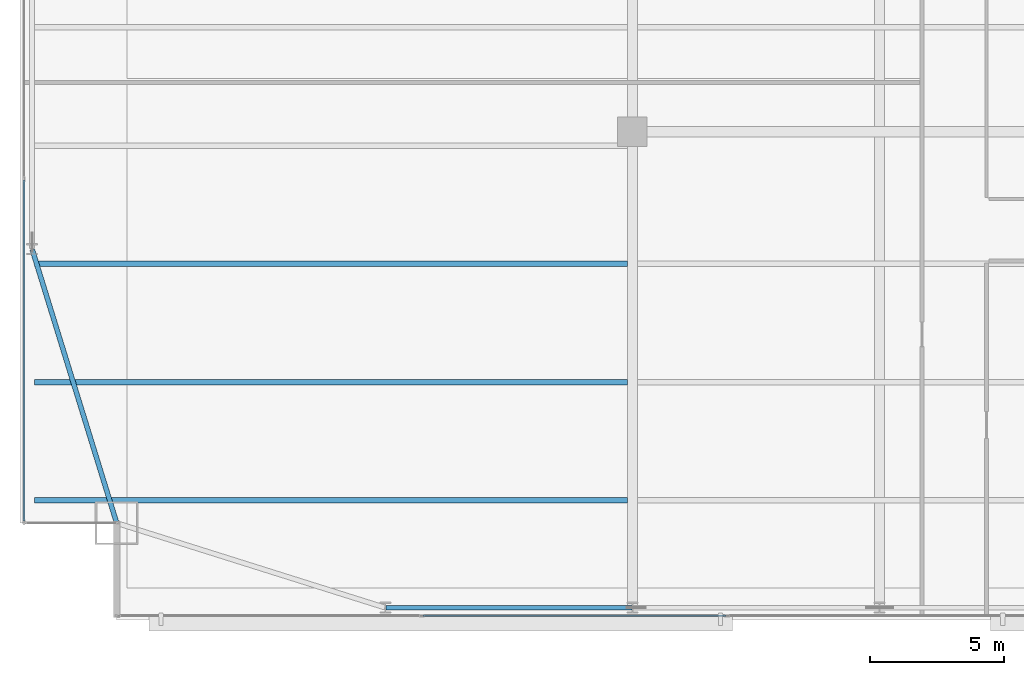
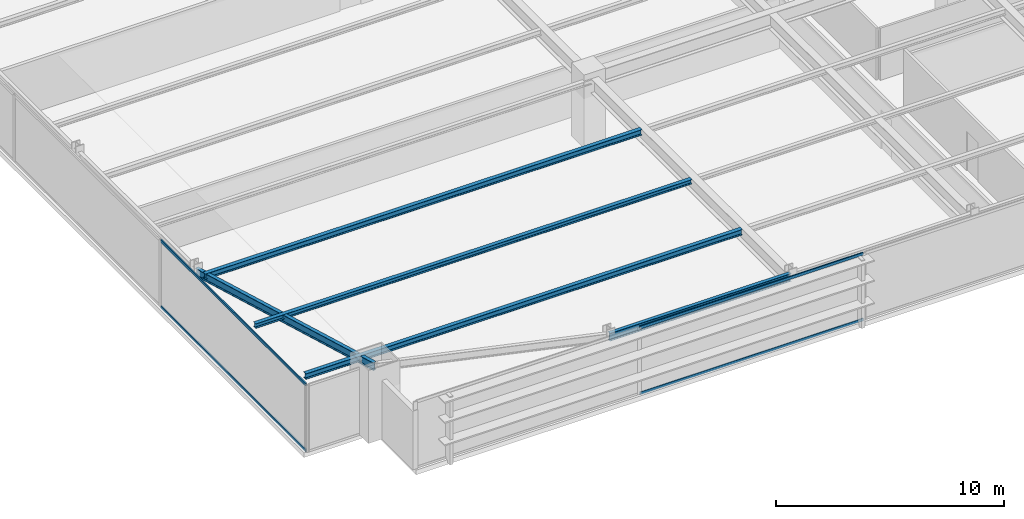
# One storey, part 5 of 32: 5 beams, 4 members, 2 elements without a shape of their own.
"""IFC4 building model written with IfcOpenShell, lengths in metres."""

from ifc_helpers import new_model, si_unit, direction, frame, origin, origin_2d, place, context, subcontext, project, spatial, hollow_rectangle, i_section, extrude, source, transform, mapped, material, layer, layer_set, material_profile, profile_set, type_object, type_shapes, element, aggregate, save


model = new_model("IFC4")

# Units and contexts
model_context = context("Model", 3, precision=1e-05, world=origin(), true_north=direction((0.0, 1.0)))
body_context = subcontext(model_context, "Body", "Model", "MODEL_VIEW")
ifc_project = project(units=[si_unit("LENGTHUNIT", "METRE"), si_unit("AREAUNIT", "SQUARE_METRE"), si_unit("VOLUMEUNIT", "CUBIC_METRE"), si_unit("PLANEANGLEUNIT", "RADIAN"), si_unit("MASSUNIT", "GRAM", prefix="KILO")], contexts=[model_context])

# Site, building, storey
site_placement = place(None, origin())
site = spatial("IfcSite", under=ifc_project, at=site_placement, CompositionType="ELEMENT")
building_placement = place(site_placement, origin())
building = spatial("IfcBuilding", under=site, at=building_placement, Name="Varnel Quay Broadcast Tower", CompositionType="ELEMENT")
storey_placement = place(building_placement, frame((0.0, 0.0, 78.300048828125)))
storey = spatial("IfcBuildingStorey", under=building, at=storey_placement, Name="L18", CompositionType="ELEMENT", Elevation=78.300048828125)

# Beams
ifc_material_1 = material(Name="Structural Steel CSA G40.21 350W", Category="steel")
ifc_material_profile_1 = material_profile(ifc_material_1, i_section(OverallWidth=0.180908203125, OverallDepth=0.4169921875, WebThickness=0.010986328125, FlangeThickness=0.018310546875, FilletRadius=0.011962890625, at=origin_2d()), Name="W410X85")
ifc_profile_set_1 = profile_set([ifc_material_profile_1], Name="Structural Steel CSA G40.21 350W")
beam_type_1 = type_object("IfcBeamType", Name="Beam_W410X85", PredefinedType="SPANDREL", material=ifc_profile_set_1)
shared_shape_1 = source(origin(), body_context, "Body", "SweptSolid", [
    extrude(i_section(OverallWidth=0.180908203125, OverallDepth=0.4169921875, WebThickness=0.010986328125, FlangeThickness=0.018310546875, FilletRadius=0.011962890625, at=origin_2d()), origin(), (0.0, 0.0, 1.0), 9.159912109375),
])
beam_1_placement = place(storey_placement, frame((15.6201171875, 1.64990234375, 3.371337890625), z_axis=(1.0, 0.0, 0.0), x_axis=(0.0, 1.0, 0.0)))
element("IfcBeam", 1, at=beam_1_placement, inside=storey, type_object=beam_type_1, Name="L18 South Spandrel TC-S1-TC-S2", PredefinedType="SPANDREL", context=body_context, shape_type="MappedRepresentation", body=[
    mapped(shared_shape_1, transform((0.0, 0.0, 0.0), x_axis=(1.0, 0.0, 0.0), y_axis=(0.0, 1.0, 0.0), z_axis=(0.0, 0.0, 1.0), scale=1.0)),
])
shared_shape_2 = source(origin(), body_context, "Body", "SweptSolid", [
    extrude(i_section(OverallWidth=0.180908203125, OverallDepth=0.4169921875, WebThickness=0.010986328125, FlangeThickness=0.018310546875, FilletRadius=0.011962890625, at=origin_2d()), origin(), (0.0, 0.0, 1.0), 10.635498046875),
])
type_shapes(beam_type_1, [shared_shape_1, shared_shape_2])
beam_2_placement = place(storey_placement, frame((5.593994140625, 4.819091796875, 3.371337890625), z_axis=(-0.295069676324, 0.955475738108, 0.0), x_axis=(-0.955475738108, -0.295069676324, 0.0)))
element("IfcBeam", 2, at=beam_2_placement, inside=storey, type_object=beam_type_1, Name="L18 West Spandrel MC-SW-TC-W1", PredefinedType="SPANDREL", context=body_context, shape_type="MappedRepresentation", body=[
    mapped(shared_shape_2, transform((0.0, 0.0, 0.0), x_axis=(1.0, 0.0, 0.0), y_axis=(0.0, 1.0, 0.0), z_axis=(0.0, 0.0, 1.0), scale=1.0)),
])
ifc_material_profile_2 = material_profile(ifc_material_1, i_section(OverallWidth=0.202880859375, OverallDepth=0.302978515625, WebThickness=0.007568359375, FlangeThickness=0.01318359375, FilletRadius=0.011962890625, at=origin_2d()), Name="W310X60")
ifc_profile_set_2 = profile_set([ifc_material_profile_2], Name="Structural Steel CSA G40.21 350W")
beam_type_2 = type_object("IfcBeamType", Name="Beam_W310X60", PredefinedType="JOIST", material=ifc_profile_set_2)
shared_shape_3 = source(origin(), body_context, "Body", "SweptSolid", [
    extrude(i_section(OverallWidth=0.202880859375, OverallDepth=0.302978515625, WebThickness=0.007568359375, FlangeThickness=0.01318359375, FilletRadius=0.011962890625, at=origin_2d()), origin(), (0.0, 0.0, 1.0), 22.0791015625),
])
type_shapes(beam_type_2, [shared_shape_3])
for number, where, z_axis, x_axis, name in (
    (3, (2.535400390625, 5.64990234375, 3.428466796875), (1.0, 0.0, 0.0), (0.0, 1.0, 0.0), "L18 West Floor Joist 1"),
    (4, (2.535400390625, 14.449951171875, 3.428466796875), (1.0, 0.0, 0.0), (0.0, 1.0, 0.0), "L18 West Floor Joist 3"),
):
    element("IfcBeam", number, at=place(storey_placement, frame(where, z_axis=z_axis, x_axis=x_axis)), inside=storey, type_object=beam_type_2, Name=name, PredefinedType="JOIST", context=body_context, shape_type="MappedRepresentation", body=[
        mapped(shared_shape_3, transform((0.0, 0.0, 0.0), x_axis=(1.0, 0.0, 0.0), y_axis=(0.0, 1.0, 0.0), z_axis=(0.0, 0.0, 1.0), scale=1.0)),
    ])
ifc_material_profile_3 = material_profile(ifc_material_1, i_section(OverallWidth=0.201904296875, OverallDepth=0.2470703125, WebThickness=0.00732421875, FlangeThickness=0.010986328125, FilletRadius=0.010986328125, at=origin_2d()), Name="W250X49")
ifc_profile_set_3 = profile_set([ifc_material_profile_3], Name="Structural Steel CSA G40.21 350W")
beam_type_3 = type_object("IfcBeamType", Name="Beam_W250X49", PredefinedType="JOIST", material=ifc_profile_set_3)
shared_shape_4 = source(origin(), body_context, "Body", "SweptSolid", [
    extrude(i_section(OverallWidth=0.201904296875, OverallDepth=0.2470703125, WebThickness=0.00732421875, FlangeThickness=0.010986328125, FilletRadius=0.010986328125, at=origin_2d()), origin(), (0.0, 0.0, 1.0), 22.0791015625),
])
type_shapes(beam_type_3, [shared_shape_4])
beam_3_placement = place(storey_placement, frame((2.535400390625, 10.050048828125, 3.45654296875), z_axis=(1.0, 0.0, 0.0), x_axis=(0.0, 1.0, 0.0)))
element("IfcBeam", 5, at=beam_3_placement, inside=storey, type_object=beam_type_3, Name="L18 West Floor Joist 2", PredefinedType="JOIST", context=body_context, shape_type="MappedRepresentation", body=[
    mapped(shared_shape_4, transform((0.0, 0.0, 0.0), x_axis=(1.0, 0.0, 0.0), y_axis=(0.0, 1.0, 0.0), z_axis=(0.0, 0.0, 1.0), scale=1.0)),
])

# Curtain wall, members
ifc_material_2 = material(Name="Anodised Bronze Aluminium 6063-T6", Category="aluminium")
ifc_layer = layer(ifc_material_2, 0.18994140625, Name="Anodised Bronze Aluminium 6063-T6")
ifc_layer_set = layer_set([ifc_layer], Name="Anodised Bronze Aluminium 6063-T6")
curtain_wall_type = type_object("IfcCurtainWallType", Name="CW_LowerTower", PredefinedType="NOTDEFINED", material=ifc_layer_set)
curtain_wall_1_placement = place(storey_placement, origin())
curtain_wall_1 = element("IfcCurtainWall", 6, at=curtain_wall_1_placement, inside=storey, type_object=curtain_wall_type, Name="L18 West Unitised Curtain Wall", PredefinedType="NOTDEFINED")
ifc_material_profile_4 = material_profile(ifc_material_2, hollow_rectangle(XDim=0.06005859375, YDim=0.14501953125, WallThickness=0.00341796875, at=origin_2d()), Name="ALU60X145X3.5")
ifc_profile_set_4 = profile_set([ifc_material_profile_4], Name="Anodised Bronze Aluminium 6063-T6")
member_type = type_object("IfcMemberType", Name="Tran_CWS-02", PredefinedType="USERDEFINED", material=ifc_profile_set_4)
shared_shape_5 = source(origin(), body_context, "Body", "SweptSolid", [
    extrude(hollow_rectangle(XDim=0.06005859375, YDim=0.14501953125, WallThickness=0.00341796875, at=origin_2d()), origin(), (0.0, 0.0, 1.0), 12.69482421875),
])
member_1_placement = place(storey_placement, frame((2.14990234375, 4.8701171875, 0.030029296875), z_axis=(0.0, 1.0, 0.0), x_axis=(-1.0, 0.0, 0.0)))
member_1 = element("IfcMember", 7, at=member_1_placement, type_object=member_type, Name="CWS-02 transom 1.1", ObjectType="TRANSOM", PredefinedType="USERDEFINED", context=body_context, shape_type="MappedRepresentation", body=[
    mapped(shared_shape_5, transform((0.0, 0.0, 0.0), x_axis=(1.0, 0.0, 0.0), y_axis=(0.0, 1.0, 0.0), z_axis=(0.0, 0.0, 1.0), scale=1.0)),
])
member_2_placement = place(storey_placement, frame((2.14990234375, 4.8701171875, 3.550048828125), z_axis=(0.0, 1.0, 0.0), x_axis=(-1.0, 0.0, 0.0)))
member_2 = element("IfcMember", 8, at=member_2_placement, type_object=member_type, Name="CWS-02 transom 1.2", ObjectType="TRANSOM", PredefinedType="USERDEFINED", context=body_context, shape_type="MappedRepresentation", body=[
    mapped(shared_shape_5, transform((0.0, 0.0, 0.0), x_axis=(1.0, 0.0, 0.0), y_axis=(0.0, 1.0, 0.0), z_axis=(0.0, 0.0, 1.0), scale=1.0)),
])
aggregate(curtain_wall_1, [member_1, member_2])

curtain_wall_2_placement = place(storey_placement, origin())
curtain_wall_2 = element("IfcCurtainWall", 9, at=curtain_wall_2_placement, inside=storey, type_object=curtain_wall_type, Name="L18 South Unitised Curtain Wall 1", PredefinedType="NOTDEFINED")
shared_shape_6 = source(origin(), body_context, "Body", "SweptSolid", [
    extrude(hollow_rectangle(XDim=0.06005859375, YDim=0.14501953125, WallThickness=0.00341796875, at=origin_2d()), origin(), (0.0, 0.0, 1.0), 11.289794921875),
])
type_shapes(member_type, [shared_shape_5, shared_shape_6])
member_3_placement = place(storey_placement, frame((16.9951171875, 1.35009765625, 0.030029296875), z_axis=(1.0, 0.0, 0.0), x_axis=(0.0, 1.0, 0.0)))
member_3 = element("IfcMember", 10, at=member_3_placement, type_object=member_type, Name="CWS-02 transom 2.1", ObjectType="TRANSOM", PredefinedType="USERDEFINED", context=body_context, shape_type="MappedRepresentation", body=[
    mapped(shared_shape_6, transform((0.0, 0.0, 0.0), x_axis=(1.0, 0.0, 0.0), y_axis=(0.0, 1.0, 0.0), z_axis=(0.0, 0.0, 1.0), scale=1.0)),
])
member_4_placement = place(storey_placement, frame((16.9951171875, 1.35009765625, 3.550048828125), z_axis=(1.0, 0.0, 0.0), x_axis=(0.0, 1.0, 0.0)))
member_4 = element("IfcMember", 11, at=member_4_placement, type_object=member_type, Name="CWS-02 transom 2.2", ObjectType="TRANSOM", PredefinedType="USERDEFINED", context=body_context, shape_type="MappedRepresentation", body=[
    mapped(shared_shape_6, transform((0.0, 0.0, 0.0), x_axis=(1.0, 0.0, 0.0), y_axis=(0.0, 1.0, 0.0), z_axis=(0.0, 0.0, 1.0), scale=1.0)),
])
aggregate(curtain_wall_2, [member_3, member_4])

save(model, "model.ifc")
